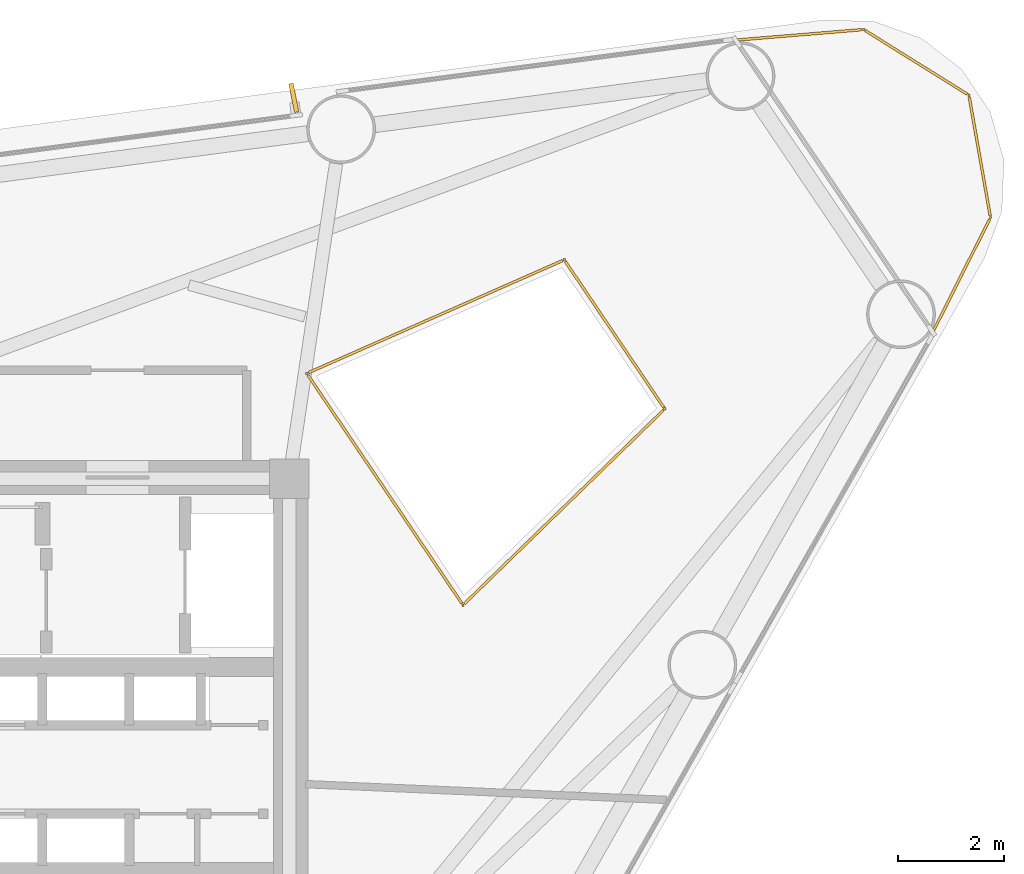
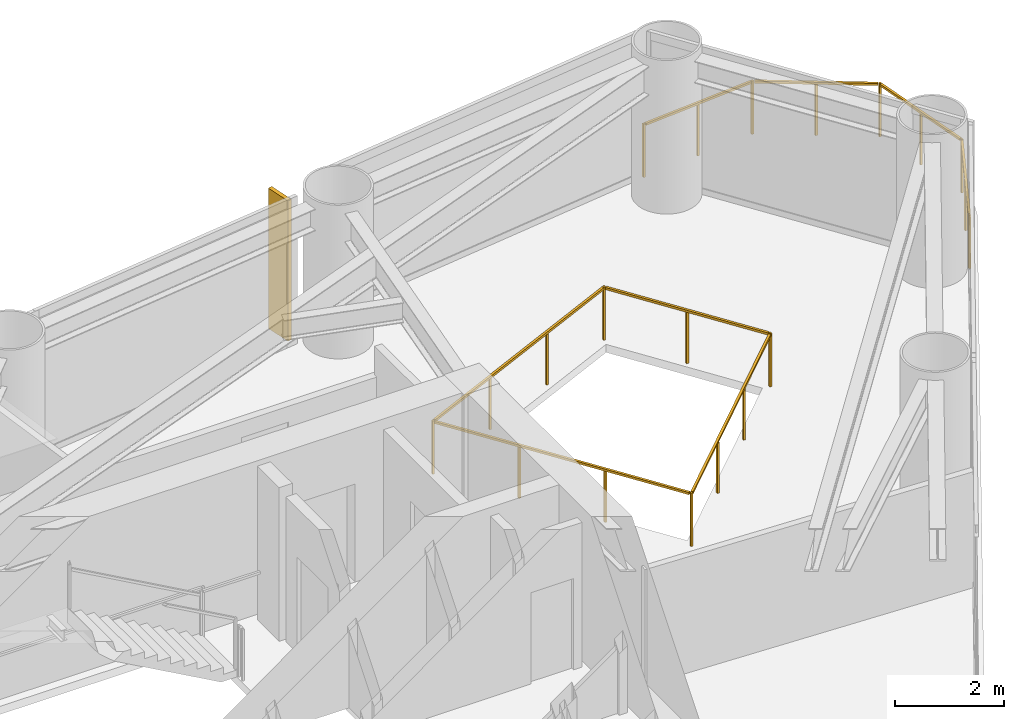
# One storey, part 9 of 9: 2 railings, 1 shading device.
"""IFC4 building model written with IfcOpenShell, lengths in metres."""

from ifc_helpers import new_model, si_unit, direction, frame, origin, origin_2d, place, context, subcontext, project, spatial, rectangle, extrude, source, transform, mapped, material, material_profile, profile_set, type_object, element, save


model = new_model("IFC4")

# Units and contexts
model_context = context("Model", 3, precision=1e-05, world=origin(), true_north=direction((0.0, 1.0)))
body_context = subcontext(model_context, "Body", "Model", "MODEL_VIEW")
ifc_project = project(units=[si_unit("LENGTHUNIT", "METRE"), si_unit("AREAUNIT", "SQUARE_METRE"), si_unit("VOLUMEUNIT", "CUBIC_METRE"), si_unit("PLANEANGLEUNIT", "RADIAN"), si_unit("MASSUNIT", "GRAM", prefix="KILO")], contexts=[model_context])

# Site, building, storey
site_placement = place(None, origin())
site = spatial("IfcSite", under=ifc_project, at=site_placement, CompositionType="ELEMENT")
building_placement = place(site_placement, origin())
building = spatial("IfcBuilding", under=site, at=building_placement, Name="Yunling Apex Tower", CompositionType="ELEMENT")
storey_placement = place(building_placement, frame((0.0, 0.0, 169.10009765625)))
storey = spatial("IfcBuildingStorey", under=building, at=storey_placement, Name="L41", CompositionType="ELEMENT", Elevation=169.10009765625)

# Railings
ifc_material = material(Name="Bronze anodised aluminium", Category="aluminium")
railing_type = type_object("IfcRailingType", Name="RL-BAL-1200", PredefinedType="BALUSTRADE", material=ifc_material)
railing_1_placement = place(storey_placement, frame((14.496337890625, 13.798095703125, 0.0)))
element("IfcRailing", 1, at=railing_1_placement, inside=storey, type_object=railing_type, Name="RL-CRNSILL-L41-1", PredefinedType="BALUSTRADE", context=body_context, shape_type="SweptSolid", body=[
    extrude(rectangle(XDim=0.0439453125, YDim=0.0439453125, at=origin_2d()), origin(), (0.0, 0.0, 1.0), 1.199951171875),
    extrude(rectangle(XDim=0.0439453125, YDim=0.0439453125, at=origin_2d()), frame((2.421142578125, 0.2001953125, 0.0)), (0.0, 0.0, 1.0), 1.199951171875),
    extrude(rectangle(XDim=0.050048828125, YDim=0.050048828125, at=origin_2d()), frame((0.0380859375, 0.003173828125, 1.1748046875), z_axis=(0.99659891826, 0.082405073407, 0.0), x_axis=(-0.082405073407, 0.99659891826, 0.0)), (0.0, 0.0, 1.0), 2.352783203125),
    extrude(rectangle(XDim=0.0439453125, YDim=0.0439453125, at=origin_2d()), frame((1.21044921875, 0.10009765625, 0.0)), (0.0, 0.0, 1.0), 1.14599609375),
    extrude(rectangle(XDim=0.0439453125, YDim=0.0439453125, at=origin_2d()), frame((4.412841796875, -1.043701171875, 0.0)), (0.0, 0.0, 1.0), 1.199951171875),
    extrude(rectangle(XDim=0.050048828125, YDim=0.050048828125, at=origin_2d()), frame((2.45361328125, 0.179931640625, 1.1748046875), z_axis=(0.84817348515, -0.52971854705, 0.0), x_axis=(0.52971854705, 0.84817348515, 0.0)), (0.0, 0.0, 1.0), 2.271484375),
    extrude(rectangle(XDim=0.0439453125, YDim=0.0439453125, at=origin_2d()), frame((3.4169921875, -0.421875, 0.0)), (0.0, 0.0, 1.0), 1.14599609375),
    extrude(rectangle(XDim=0.0439453125, YDim=0.0439453125, at=origin_2d()), frame((4.820068359375, -3.356201171875, 0.0)), (0.0, 0.0, 1.0), 1.199951171875),
    extrude(rectangle(XDim=0.050048828125, YDim=0.050048828125, at=origin_2d()), frame((4.41943359375, -1.08154296875, 1.1748046875), z_axis=(0.173429436748, -0.984846297891, 0.0), x_axis=(0.984846297891, 0.173429436748, 0.0)), (0.0, 0.0, 1.0), 2.271484375),
    extrude(rectangle(XDim=0.0439453125, YDim=0.0439453125, at=origin_2d()), frame((4.616455078125, -2.199951171875, 0.0)), (0.0, 0.0, 1.0), 1.14599609375),
    extrude(rectangle(XDim=0.0439453125, YDim=0.0439453125, at=origin_2d()), frame((3.7275390625, -5.526123046875, 0.0)), (0.0, 0.0, 1.0), 1.199951171875),
    extrude(rectangle(XDim=0.050048828125, YDim=0.050048828125, at=origin_2d()), frame((4.802734375, -3.390380859375, 1.1748046875), z_axis=(-0.449704074189, -0.893177611485, 0.0), x_axis=(0.893177611485, -0.449704074189, 0.0)), (0.0, 0.0, 1.0), 2.352783203125),
    extrude(rectangle(XDim=0.0439453125, YDim=0.0439453125, at=origin_2d()), frame((4.27392578125, -4.441162109375, 0.0)), (0.0, 0.0, 1.0), 1.14599609375),
])
railing_2_placement = place(storey_placement, frame((6.381103515625, 7.49267578125, 0.0)))
element("IfcRailing", 2, at=railing_2_placement, inside=storey, type_object=railing_type, Name="RL-TATR-L41", PredefinedType="BALUSTRADE", context=body_context, shape_type="SweptSolid", body=[
    extrude(rectangle(XDim=0.0439453125, YDim=0.0439453125, at=origin_2d()), origin(), (0.0, 0.0, 1.0), 1.199951171875),
    extrude(rectangle(XDim=0.0439453125, YDim=0.0439453125, at=origin_2d()), frame((4.87158203125, 2.1484375, 0.0)), (0.0, 0.0, 1.0), 1.199951171875),
    extrude(rectangle(XDim=0.050048828125, YDim=0.050048828125, at=origin_2d()), frame((0.03515625, 0.015380859375, 1.1748046875), z_axis=(0.914972578992, 0.403516021606, 0.0), x_axis=(-0.403516021606, 0.914972578992, 0.0)), (0.0, 0.0, 1.0), 5.24755859375),
    extrude(rectangle(XDim=0.0439453125, YDim=0.0439453125, at=origin_2d()), frame((1.623779296875, 0.716064453125, 0.0)), (0.0, 0.0, 1.0), 1.14599609375),
    extrude(rectangle(XDim=0.0439453125, YDim=0.0439453125, at=origin_2d()), frame((3.247802734375, 1.432373046875, 0.0)), (0.0, 0.0, 1.0), 1.14599609375),
    extrude(rectangle(XDim=0.0439453125, YDim=0.0439453125, at=origin_2d()), frame((6.773193359375, -0.6708984375, 0.0)), (0.0, 0.0, 1.0), 1.199951171875),
    extrude(rectangle(XDim=0.050048828125, YDim=0.050048828125, at=origin_2d()), frame((4.89306640625, 2.11669921875, 1.1748046875), z_axis=(0.559181833343, -0.829045039343, 0.0), x_axis=(0.829045039343, 0.559181833343, 0.0)), (0.0, 0.0, 1.0), 3.323974609375),
    extrude(rectangle(XDim=0.0439453125, YDim=0.0439453125, at=origin_2d()), frame((5.822265625, 0.73876953125, 0.0)), (0.0, 0.0, 1.0), 1.14599609375),
    extrude(rectangle(XDim=0.0439453125, YDim=0.0439453125, at=origin_2d()), frame((2.956298828125, -4.383056640625, 0.0)), (0.0, 0.0, 1.0), 1.199951171875),
    extrude(rectangle(XDim=0.050048828125, YDim=0.050048828125, at=origin_2d()), frame((6.74560546875, -0.697509765625, 1.1748046875), z_axis=(-0.71687395367, -0.697202792987, 0.0), x_axis=(0.697202792987, -0.71687395367, 0.0)), (0.0, 0.0, 1.0), 5.247802734375),
    extrude(rectangle(XDim=0.0439453125, YDim=0.0439453125, at=origin_2d()), frame((5.5009765625, -1.908203125, 0.0)), (0.0, 0.0, 1.0), 1.14599609375),
    extrude(rectangle(XDim=0.0439453125, YDim=0.0439453125, at=origin_2d()), frame((4.228515625, -3.145751953125, 0.0)), (0.0, 0.0, 1.0), 1.14599609375),
    extrude(rectangle(XDim=0.050048828125, YDim=0.050048828125, at=origin_2d()), frame((2.934814453125, -4.351318359375, 1.1748046875), z_axis=(-0.559178576396, 0.829047236109, 0.0), x_axis=(-0.829047236109, -0.559178576396, 0.0)), (0.0, 0.0, 1.0), 5.210205078125),
    extrude(rectangle(XDim=0.0439453125, YDim=0.0439453125, at=origin_2d()), frame((1.970947265625, -2.922119140625, 0.0)), (0.0, 0.0, 1.0), 1.14599609375),
    extrude(rectangle(XDim=0.0439453125, YDim=0.0439453125, at=origin_2d()), frame((0.9853515625, -1.4609375, 0.0)), (0.0, 0.0, 1.0), 1.14599609375),
])

# Shading device
ifc_material_profile = material_profile(ifc_material, rectangle(XDim=0.0849609375, YDim=0.550048828125, at=origin_2d()))
ifc_profile_set = profile_set([ifc_material_profile], Name="Bronze anodised aluminium")
shading_device_type = type_object("IfcShadingDeviceType", Name="FN-BRZ-3", PredefinedType="USERDEFINED", material=ifc_profile_set)
shared_shape = source(origin(), body_context, "Body", "SweptSolid", [
    extrude(rectangle(XDim=0.0849609375, YDim=0.550048828125, at=origin_2d()), origin(), (0.0, 0.0, 1.0), 3.14990234375),
])
shading_device_placement = place(storey_placement, frame((6.13671875, 12.706787109375, 0.06005859375), z_axis=(0.0, 0.0, 1.0), x_axis=(-0.980648842665, -0.195774991714, 0.0)))
element("IfcShadingDevice", 3, at=shading_device_placement, inside=storey, type_object=shading_device_type, Name="CW-L41-F2-B2-FIN-01", ObjectType="FIN", PredefinedType="USERDEFINED", context=body_context, shape_type="MappedRepresentation", body=[
    mapped(shared_shape, transform((0.0, 0.0, 0.0), scale=1.0)),
])

save(model, "model.ifc")
